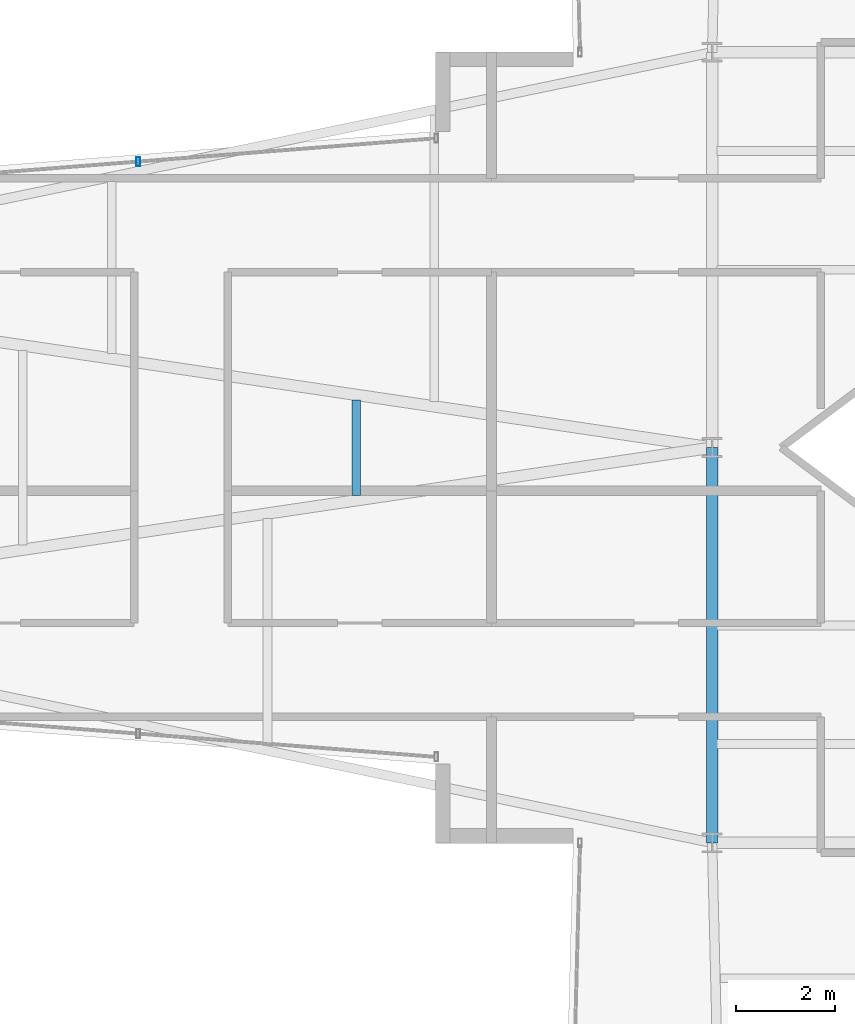
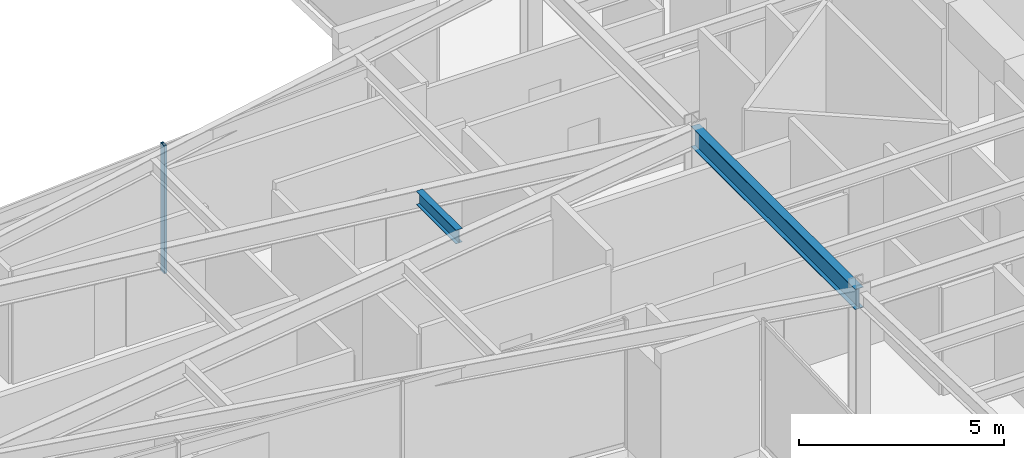
# One storey, part 11 of 29: 2 beams, 1 member, 1 element without a shape of its own.
"""IFC4 building model written with IfcOpenShell, lengths in metres."""

from ifc_helpers import new_model, si_unit, direction, frame, origin, origin_2d, place, context, subcontext, project, spatial, hollow_rectangle, i_section, extrude, material, layer, layer_set, material_profile, profile_set, type_object, element, aggregate, save


model = new_model("IFC4")

# Units and contexts
model_context = context("Model", 3, precision=1e-05, world=origin(), true_north=direction((0.0, 1.0)))
body_context = subcontext(model_context, "Body", "Model", "MODEL_VIEW")
ifc_project = project(units=[si_unit("LENGTHUNIT", "METRE"), si_unit("AREAUNIT", "SQUARE_METRE"), si_unit("VOLUMEUNIT", "CUBIC_METRE"), si_unit("PLANEANGLEUNIT", "RADIAN"), si_unit("MASSUNIT", "GRAM", prefix="KILO")], contexts=[model_context])

# Site, building, storey
site_placement = place(None, origin())
site = spatial("IfcSite", under=ifc_project, at=site_placement, CompositionType="ELEMENT")
building_placement = place(site_placement, origin())
building = spatial("IfcBuilding", under=site, at=building_placement, Name="Veymaron Broadcast Tower", CompositionType="ELEMENT")
storey_placement = place(building_placement, frame((0.0, 0.0, 62.10009765625)))
storey = spatial("IfcBuildingStorey", under=building, at=storey_placement, Name="L13", CompositionType="ELEMENT", Elevation=62.10009765625)

# Beams
ifc_material_1 = material(Name="Structural steel ASTM A992 Gr 50", Category="steel")
ifc_material_profile_1 = material_profile(ifc_material_1, i_section(OverallWidth=0.22998046875, OverallDepth=0.616943359375, WebThickness=0.01318359375, FlangeThickness=0.022216796875, at=origin_2d()), Name="W610X140")
ifc_profile_set_1 = profile_set([ifc_material_profile_1], Name="Structural steel ASTM A992 Gr 50")
beam_type_1 = type_object("IfcBeamType", Name="BM-FG1", PredefinedType="BEAM", material=ifc_profile_set_1)
beam_1_placement = place(storey_placement, frame((31.199951171875, 16.0, 3.50146484375), z_axis=(0.0, 1.0, 0.0), x_axis=(-1.0, 0.0, 0.0)))
element("IfcBeam", 1, at=beam_1_placement, inside=storey, type_object=beam_type_1, Name="L13 primary structural floor girder", PredefinedType="BEAM", context=body_context, shape_type="SweptSolid", body=[
    extrude(i_section(OverallWidth=0.22998046875, OverallDepth=0.616943359375, WebThickness=0.01318359375, FlangeThickness=0.022216796875, at=origin_2d()), origin(), (0.0, 0.0, 1.0), 8.0),
])
ifc_material_profile_2 = material_profile(ifc_material_1, i_section(OverallWidth=0.177978515625, OverallDepth=0.406982421875, WebThickness=0.0078125, FlangeThickness=0.0126953125, at=origin_2d()), Name="W410X60")
ifc_profile_set_2 = profile_set([ifc_material_profile_2], Name="Structural steel ASTM A992 Gr 50")
beam_type_2 = type_object("IfcBeamType", Name="BM-JS1", PredefinedType="JOIST", material=ifc_profile_set_2)
beam_2_placement = place(storey_placement, frame((23.9990234375, 23.03271484375, 3.6064453125), z_axis=(0.0, 1.0, 0.0), x_axis=(-1.0, 0.0, 0.0)))
element("IfcBeam", 2, at=beam_2_placement, inside=storey, type_object=beam_type_2, Name="L13 Arm-A secondary joist 2M", PredefinedType="JOIST", context=body_context, shape_type="SweptSolid", body=[
    extrude(i_section(OverallWidth=0.177978515625, OverallDepth=0.406982421875, WebThickness=0.0078125, FlangeThickness=0.0126953125, at=origin_2d()), origin(), (0.0, 0.0, 1.0), 1.9345703125),
])

# Curtain wall, member
ifc_material_2 = material(Name="Anodised aluminium AA 6063-T6 and laminated low-E dark glass", Category="aluminium")
ifc_layer = layer(ifc_material_2, 0.179931640625)
ifc_layer_set = layer_set([ifc_layer], Name="Anodised aluminium AA 6063-T6 and laminated low-E dark glass")
curtain_wall_type = type_object("IfcCurtainWallType", Name="CW-SYS-02", PredefinedType="NOTDEFINED", material=ifc_layer_set)
curtain_wall_placement = place(storey_placement, origin())
curtain_wall = element("IfcCurtainWall", 3, at=curtain_wall_placement, inside=storey, type_object=curtain_wall_type, Name="L13 dark-glass curtain wall CW-L13-E11-1", PredefinedType="NOTDEFINED")
ifc_material_3 = material(Name="Anodised aluminium AA 6063-T6", Category="aluminium")
ifc_material_profile_3 = material_profile(ifc_material_3, hollow_rectangle(XDim=0.074951171875, YDim=0.179931640625, WallThickness=0.0048828125, at=origin_2d()), Name="AL180X75X5")
ifc_profile_set_3 = profile_set([ifc_material_profile_3], Name="Anodised aluminium AA 6063-T6")
member_type = type_object("IfcMemberType", Name="CW-MUL-02", PredefinedType="MULLION", material=ifc_profile_set_3)
member_placement = place(storey_placement, frame((19.5830078125, 29.788330078125, 0.0), z_axis=(0.0, 0.0, 1.0), x_axis=(1.0, 0.0, 0.0)))
member = element("IfcMember", 4, at=member_placement, type_object=member_type, Name="CW-L13-E11-1 mullion 1", PredefinedType="MULLION", context=body_context, shape_type="SweptSolid", body=[
    extrude(hollow_rectangle(XDim=0.074951171875, YDim=0.179931640625, WallThickness=0.0048828125, at=origin_2d()), origin(), (0.0, 0.0, 1.0), 3.809814453125),
])
aggregate(curtain_wall, [member])

save(model, "model.ifc")
